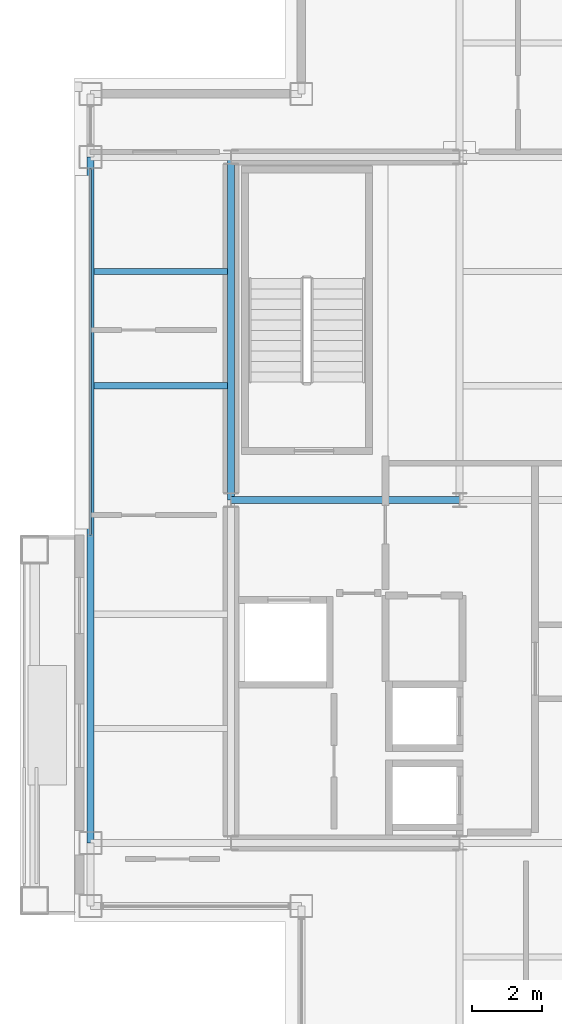
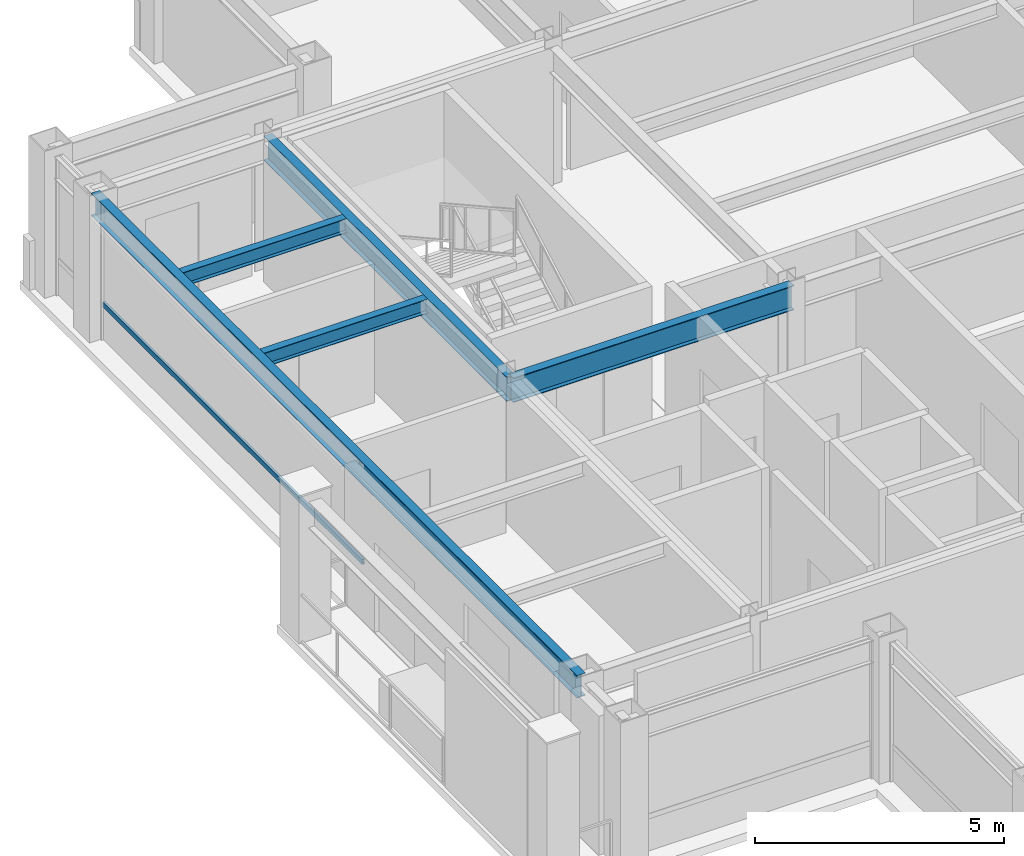
# One storey, part 10 of 26: 5 beams, 1 member, 1 element without a shape of its own.
"""IFC4 building model written with IfcOpenShell, lengths in metres."""

from ifc_helpers import new_model, si_unit, direction, frame, origin, origin_2d, place, context, subcontext, project, spatial, hollow_rectangle, i_section, extrude, material, layer, layer_set, material_profile, profile_set, type_object, element, aggregate, save


model = new_model("IFC4")

# Units and contexts
model_context = context("Model", 3, precision=1e-05, world=origin(), true_north=direction((0.0, 1.0)))
body_context = subcontext(model_context, "Body", "Model", "MODEL_VIEW")
ifc_project = project(units=[si_unit("LENGTHUNIT", "METRE"), si_unit("AREAUNIT", "SQUARE_METRE"), si_unit("VOLUMEUNIT", "CUBIC_METRE"), si_unit("PLANEANGLEUNIT", "RADIAN"), si_unit("MASSUNIT", "GRAM", prefix="KILO")], contexts=[model_context])

# Site, building, storey
site_placement = place(None, origin())
site = spatial("IfcSite", under=ifc_project, at=site_placement, CompositionType="ELEMENT")
building_placement = place(site_placement, origin())
building = spatial("IfcBuilding", under=site, at=building_placement, Name="Brelmoor Portico Tower", CompositionType="ELEMENT")
storey_placement = place(building_placement, frame((0.0, 0.0, 247.199951171875)))
storey = spatial("IfcBuildingStorey", under=building, at=storey_placement, Name="L65", CompositionType="ELEMENT", Elevation=247.199951171875)

# Beams
ifc_material_1 = material(Name="Steel Q355B", Category="steel")
ifc_material_profile_1 = material_profile(ifc_material_1, i_section(OverallWidth=0.175048828125, OverallDepth=0.35009765625, WebThickness=0.007080078125, FlangeThickness=0.010986328125, at=origin_2d()), Name="HN 350x175x7x11")
ifc_profile_set_1 = profile_set([ifc_material_profile_1], Name="Steel Q355B")
beam_type_1 = type_object("IfcBeamType", Name="BM-JS-350", PredefinedType="JOIST", material=ifc_profile_set_1)
for number, where, z_axis, x_axis, name in (
    (1, (-18.449951171875, 3.25, 3.22509765625), (1.0, 0.0, 0.0), (0.0, 1.0, 0.0), "L65 Secondary Wing Joist JS-W09"),
    (2, (-18.449951171875, 6.5, 3.22509765625), (1.0, 0.0, 0.0), (0.0, 1.0, 0.0), "L65 Secondary Wing Joist JS-W10"),
):
    element("IfcBeam", number, at=place(storey_placement, frame(where, z_axis=z_axis, x_axis=x_axis)), inside=storey, type_object=beam_type_1, Name=name, PredefinedType="JOIST", context=body_context, shape_type="SweptSolid", body=[
        extrude(i_section(OverallWidth=0.175048828125, OverallDepth=0.35009765625, WebThickness=0.007080078125, FlangeThickness=0.010986328125, at=origin_2d()), origin(), (0.0, 0.0, 1.0), 3.800048828125),
    ])
ifc_material_profile_2 = material_profile(ifc_material_1, i_section(OverallWidth=0.199951171875, OverallDepth=0.60009765625, WebThickness=0.010986328125, FlangeThickness=0.01708984375, at=origin_2d()), Name="HN 600x200x11x17")
ifc_profile_set_2 = profile_set([ifc_material_profile_2], Name="Steel Q355B")
beam_type_2 = type_object("IfcBeamType", Name="BM-PG-600", PredefinedType="BEAM", material=ifc_profile_set_2)
beam_1_placement = place(storey_placement, frame((-14.550048828125, 0.0, 3.10009765625), z_axis=(0.0, 1.0, 0.0), x_axis=(-1.0, 0.0, 0.0)))
element("IfcBeam", 3, at=beam_1_placement, inside=storey, type_object=beam_type_2, Name="L65 Primary Floor Girder PG-02", PredefinedType="BEAM", context=body_context, shape_type="SweptSolid", body=[
    extrude(i_section(OverallWidth=0.199951171875, OverallDepth=0.60009765625, WebThickness=0.010986328125, FlangeThickness=0.01708984375, at=origin_2d()), origin(), (0.0, 0.0, 1.0), 9.75),
])
beam_2_placement = place(storey_placement, frame((-14.550048828125, 0.0, 3.10009765625), z_axis=(1.0, 0.0, 0.0), x_axis=(0.0, 1.0, 0.0)))
element("IfcBeam", 4, at=beam_2_placement, inside=storey, type_object=beam_type_2, Name="L65 Primary Floor Girder PG-16", PredefinedType="BEAM", context=body_context, shape_type="SweptSolid", body=[
    extrude(i_section(OverallWidth=0.199951171875, OverallDepth=0.60009765625, WebThickness=0.010986328125, FlangeThickness=0.01708984375, at=origin_2d()), origin(), (0.0, 0.0, 1.0), 6.5),
])
ifc_material_profile_3 = material_profile(ifc_material_1, i_section(OverallWidth=0.199951171875, OverallDepth=0.550048828125, WebThickness=0.010009765625, FlangeThickness=0.01611328125, at=origin_2d()), Name="HN 550x200x10x16")
ifc_profile_set_3 = profile_set([ifc_material_profile_3], Name="Steel Q355B")
beam_type_3 = type_object("IfcBeamType", Name="BM-SP-550", PredefinedType="SPANDREL", material=ifc_profile_set_3)
beam_3_placement = place(storey_placement, frame((-18.550048828125, -9.75, 3.125), z_axis=(0.0, 1.0, 0.0), x_axis=(-1.0, 0.0, 0.0)))
element("IfcBeam", 5, at=beam_3_placement, inside=storey, type_object=beam_type_3, Name="L65 Perimeter Spandrel Beam SP-12", PredefinedType="SPANDREL", context=body_context, shape_type="SweptSolid", body=[
    extrude(i_section(OverallWidth=0.199951171875, OverallDepth=0.550048828125, WebThickness=0.010009765625, FlangeThickness=0.01611328125, at=origin_2d()), origin(), (0.0, 0.0, 1.0), 19.5),
])

# Curtain wall, member
ifc_material_2 = material(Name="Anodised Aluminium Alloy 6063-T6", Category="aluminium")
ifc_layer = layer(ifc_material_2, 0.179931640625)
ifc_layer_set = layer_set([ifc_layer], Name="Anodised Aluminium Alloy 6063-T6")
curtain_wall_type = type_object("IfcCurtainWallType", Name="CW-TOWER-Z4", PredefinedType="NOTDEFINED", material=ifc_layer_set)
curtain_wall_placement = place(storey_placement, origin())
curtain_wall = element("IfcCurtainWall", 6, at=curtain_wall_placement, inside=storey, type_object=curtain_wall_type, Name="L65 Curtain Wall CW-L65-3R-1", PredefinedType="NOTDEFINED")
ifc_material_profile_4 = material_profile(ifc_material_2, hollow_rectangle(XDim=0.06005859375, YDim=0.125, WallThickness=0.00341796875, at=origin_2d()), Name="ALU TRANSOM 60x125")
ifc_profile_set_4 = profile_set([ifc_material_profile_4], Name="Anodised Aluminium Alloy 6063-T6")
member_type = type_object("IfcMemberType", Name="MB-CW-TRAN-125", PredefinedType="USERDEFINED", material=ifc_profile_set_4)
member_placement = place(storey_placement, frame((-18.550048828125, -1.0, 0.85009765625), z_axis=(0.0, 1.0, 0.0), x_axis=(-1.0, 0.0, 0.0)))
member = element("IfcMember", 7, at=member_placement, type_object=member_type, Name="CW-L65-3R-1 Transom 1-00", ObjectType="TRANSOM", PredefinedType="USERDEFINED", context=body_context, shape_type="SweptSolid", body=[
    extrude(hollow_rectangle(XDim=0.06005859375, YDim=0.125, WallThickness=0.00341796875, at=origin_2d()), origin(), (0.0, 0.0, 1.0), 10.4150390625),
])
aggregate(curtain_wall, [member])

save(model, "model.ifc")
